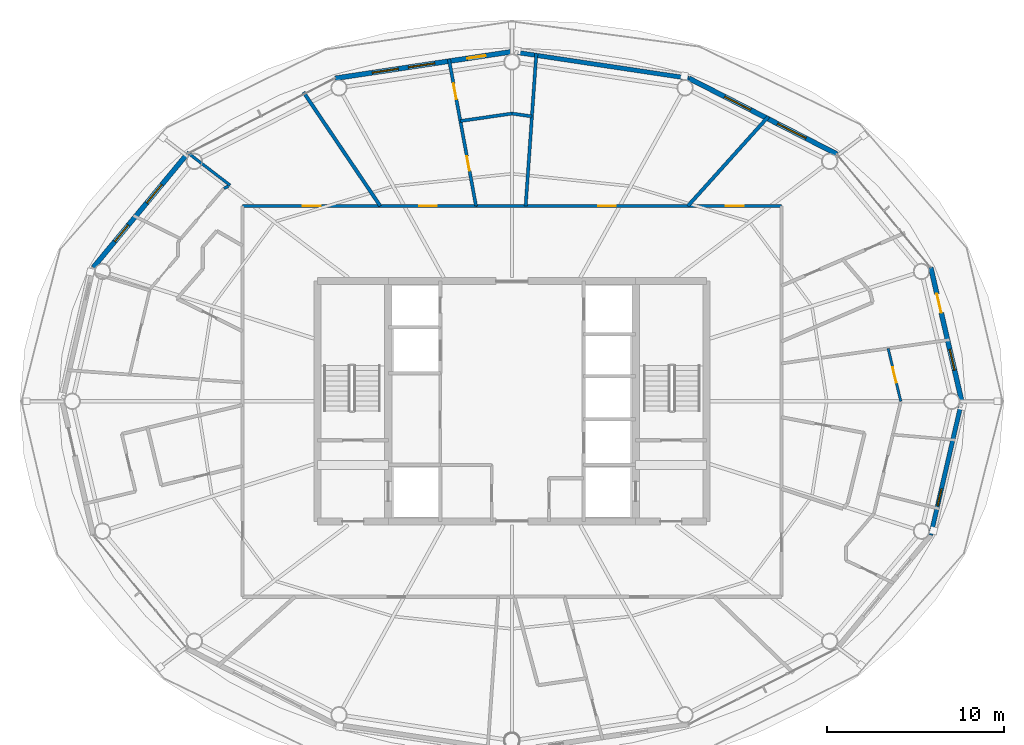
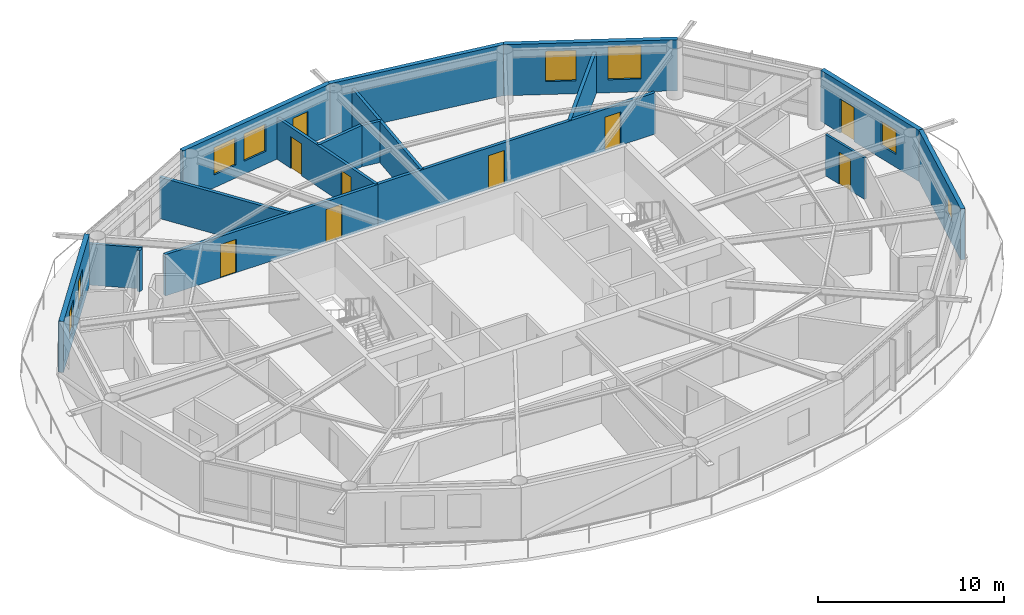
# One storey, part 18 of 22: 17 walls, 9 doors, 8 windows, 17 openings.
"""IFC4 building model written with IfcOpenShell, lengths in metres."""

import ifcopenshell
import ifcopenshell.guid

model = None  # the IFC model being written
_history = None  # IfcOwnerHistory: only IFC2X3 demands one
_inside = {}  # id of a spatial element -> (the spatial element, [elements in it])
_under = {}  # id of a project, library or spatial element -> (it, [spatial elements below it])
_declared = {}  # id of a project -> (the project, [libraries it declares])
_typed = {}  # id of a type object -> (the type object, [elements of that type])
_made_of = {}  # id of a material, layer set ... -> (it, [elements and type objects made of it])


def new_model(schema):
    """Start an empty IFC model of exactly this schema.

    Asked for "IFC4X3", IfcOpenShell would pick the latest addendum, in which some entities
    have other attributes; the version numbers below select the first issue.
    IFC2X3 requires an IfcOwnerHistory on every rooted entity: one is made here for all.
    """
    global model, _history
    if schema == "IFC4X3":
        model = ifcopenshell.file(schema_version=(4, 3, 0, 0))
    else:
        model = ifcopenshell.file(schema=schema)
    _inside.clear()
    _under.clear()
    _declared.clear()
    _typed.clear()
    _made_of.clear()
    _history = None
    if model.schema == "IFC2X3":
        org = make("IfcOrganization", Name="unknown")
        user = make(
            "IfcPersonAndOrganization",
            ThePerson=make("IfcPerson", FamilyName="unknown"),
            TheOrganization=org,
        )
        app = make(
            "IfcApplication",
            ApplicationDeveloper=org,
            Version="unknown",
            ApplicationFullName="unknown",
            ApplicationIdentifier="unknown",
        )
        _history = make(
            "IfcOwnerHistory",
            OwningUser=user,
            OwningApplication=app,
            ChangeAction="ADDED",
            CreationDate=0,
        )
    return model


def make(cls, **values):
    """One entity of the class cls with the attributes given. An attribute that is None is left unset."""
    return model.create_entity(
        cls, **{name: value for name, value in values.items() if value is not None}
    )


def rooted(cls, **values):
    """An entity with a GlobalId (a new one), such as an element, a storey or a relation."""
    return make(cls, GlobalId=ifcopenshell.guid.new(), OwnerHistory=_history, **values)


def si_unit(unit_type, name, prefix=None):
    """IfcSIUnit, for example si_unit("LENGTHUNIT", "METRE", prefix="MILLI")."""
    return make("IfcSIUnit", UnitType=unit_type, Prefix=prefix, Name=name)


def assignment(units):
    """IfcUnitAssignment: the units of a project."""
    return None if units is None else make("IfcUnitAssignment", Units=units)


def point(xyz):
    """IfcCartesianPoint."""
    return None if xyz is None else make("IfcCartesianPoint", Coordinates=xyz)


def direction(xyz):
    """IfcDirection."""
    return None if xyz is None else make("IfcDirection", DirectionRatios=xyz)


def frame(location, z_axis=None, x_axis=None):
    """IfcAxis2Placement3D, a coordinate frame: its origin and axes. An axis left out is left unset."""
    return make(
        "IfcAxis2Placement3D",
        Location=point(location),
        Axis=direction(z_axis),
        RefDirection=direction(x_axis),
    )


def frame_2d(location, x_axis=None):
    """IfcAxis2Placement2D, a coordinate frame in the plane: its origin and x axis."""
    return make(
        "IfcAxis2Placement2D", Location=point(location), RefDirection=direction(x_axis)
    )


def origin():
    """The frame at (0, 0, 0) with its axes left unset."""
    return frame((0.0, 0.0, 0.0))


def place(relative_to, where):
    """IfcLocalPlacement: puts the frame where relative to a parent placement (None: the world)."""
    return make(
        "IfcLocalPlacement", PlacementRelTo=relative_to, RelativePlacement=where
    )


def context(
    kind, dimensions, precision=None, world=None, true_north=None, identifier=None
):
    """IfcGeometricRepresentationContext, for example the 3D "Model" context."""
    return make(
        "IfcGeometricRepresentationContext",
        ContextIdentifier=identifier,
        ContextType=kind,
        CoordinateSpaceDimension=dimensions,
        Precision=precision,
        WorldCoordinateSystem=world,
        TrueNorth=true_north,
    )


def subcontext(parent, identifier, kind, view, scale=None):
    """IfcGeometricRepresentationSubContext, for example "Body" below "Model"."""
    return make(
        "IfcGeometricRepresentationSubContext",
        ContextIdentifier=identifier,
        ContextType=kind,
        ParentContext=parent,
        TargetScale=scale,
        TargetView=view,
    )


def project(units=None, contexts=None):
    """IfcProject with its units and contexts."""
    return rooted(
        "IfcProject",
        Name="project",
        RepresentationContexts=contexts,
        UnitsInContext=assignment(units),
    )


def spatial(cls, under=None, at=None, **own):
    """A site, building, storey or space (cls), placed at a placement, below another one or the project."""
    s = rooted(cls, ObjectPlacement=at, **own)
    if under is not None:
        _under.setdefault(under.id(), (under, []))[1].append(s)
    return s


def profile(cls, at=None, kind="AREA", **sizes):
    """A parametric profile (cls). Its sizes go by their IFC names, for example OverallWidth=200.0."""
    return make(cls, ProfileType=kind, Position=at, **sizes)


def rectangle(**sizes):
    """IfcRectangleProfileDef."""
    return profile("IfcRectangleProfileDef", **sizes)


def extrude(swept, where, along, depth):
    """IfcExtrudedAreaSolid: the profile swept, set in the frame where, extruded along a direction by depth."""
    return make(
        "IfcExtrudedAreaSolid",
        SweptArea=swept,
        Position=where,
        ExtrudedDirection=direction(along),
        Depth=depth,
    )


def shape(context_of_items, identifier, shape_type, items):
    """IfcShapeRepresentation: the items that make up one representation, for example the "Body"."""
    return make(
        "IfcShapeRepresentation",
        ContextOfItems=context_of_items,
        RepresentationIdentifier=identifier,
        RepresentationType=shape_type,
        Items=items,
    )


def material(Name=None, Category=None):
    """IfcMaterial."""
    return make("IfcMaterial", Name=Name, Category=Category)


def layer(
    of_material, thickness, ventilated=None, Name=None, Category=None, Priority=None
):
    """IfcMaterialLayer: one layer of a wall or slab, of a material (None: an air gap)."""
    return make(
        "IfcMaterialLayer",
        Material=of_material,
        LayerThickness=thickness,
        IsVentilated=ventilated,
        Name=Name,
        Category=Category,
        Priority=Priority,
    )


def layer_set(layers, Name=None):
    """IfcMaterialLayerSet."""
    return make("IfcMaterialLayerSet", MaterialLayers=layers, LayerSetName=Name)


def made_of(thing, what):
    """Note that an element or type object is made of a material, layer set ...; save() writes the relation."""
    if what is not None:
        _made_of.setdefault(what.id(), (what, []))[1].append(thing)
    return thing


def type_object(cls, material=None, **own):
    """A type object (cls), such as IfcWallType, which elements share."""
    return made_of(rooted(cls, **own), material)


def element(
    cls,
    number,
    at=None,
    inside=None,
    cuts=None,
    type_object=None,
    material=None,
    context=None,
    identifier="Body",
    shape_type=None,
    held_by="IfcProductDefinitionShape",
    body=None,
    shapes=None,
    **own,
):
    """One element of the class cls, such as IfcWall. Its Tag is "e" and its number.

    at: its placement. inside: the storey or other place that contains it. cuts: it is an
    opening in that element (IfcRelVoidsElement). A single representation is given by context,
    identifier, shape_type and body (its items); several are given by shapes. held_by: the class
    of the entity that holds the representations. save() writes the other relations.
    """
    e = rooted(cls, Tag="e%d" % number, ObjectPlacement=at, **own)
    if body is not None:
        shapes = [shape(context, identifier, shape_type, body)]
    if shapes is not None:
        e.Representation = make(held_by, Representations=shapes)
    if inside is not None:
        _inside.setdefault(inside.id(), (inside, []))[1].append(e)
    if cuts is not None:
        rooted(
            "IfcRelVoidsElement", RelatingBuildingElement=cuts, RelatedOpeningElement=e
        )
    if type_object is not None:
        _typed.setdefault(type_object.id(), (type_object, []))[1].append(e)
    return made_of(e, material)


def fill(opening, filler):
    """IfcRelFillsElement: the door or window that sits in an opening."""
    return rooted(
        "IfcRelFillsElement",
        RelatingOpeningElement=opening,
        RelatedBuildingElement=filler,
    )


def aggregate(whole, parts):
    """IfcRelAggregates: a whole, such as a stair, and the parts it consists of."""
    return rooted("IfcRelAggregates", RelatingObject=whole, RelatedObjects=parts)


def save(model, path):
    """Write the relations noted so far, then the file.

    IfcRelAggregates (storeys below a building ...), IfcRelContainedInSpatialStructure (elements
    in a storey), IfcRelDefinesByType, IfcRelAssociatesMaterial and IfcRelDeclares: one each for
    every whole, place, type object, material and project.
    """
    for whole, parts in _under.values():
        aggregate(whole, parts)
    for where, things in _inside.values():
        rooted(
            "IfcRelContainedInSpatialStructure",
            RelatedElements=things,
            RelatingStructure=where,
        )
    for kind, things in _typed.values():
        rooted("IfcRelDefinesByType", RelatedObjects=things, RelatingType=kind)
    for what, things in _made_of.values():
        rooted("IfcRelAssociatesMaterial", RelatedObjects=things, RelatingMaterial=what)
    for by, libraries in _declared.values():
        rooted("IfcRelDeclares", RelatingContext=by, RelatedDefinitions=libraries)
    model.write(path)


model = new_model("IFC4")

# Units and contexts
model_context = context("Model", 3, precision=1e-05, world=origin(), true_north=direction((0.0, 1.0)))
body_context = subcontext(model_context, "Body", "Model", "MODEL_VIEW")
ifc_project = project(units=[si_unit("LENGTHUNIT", "METRE"), si_unit("AREAUNIT", "SQUARE_METRE"), si_unit("VOLUMEUNIT", "CUBIC_METRE"), si_unit("PLANEANGLEUNIT", "RADIAN"), si_unit("MASSUNIT", "GRAM", prefix="KILO")], contexts=[model_context])

# Site, building, storey
site_placement = place(None, origin())
site = spatial("IfcSite", under=ifc_project, at=site_placement, CompositionType="ELEMENT")
building_placement = place(site_placement, origin())
building = spatial("IfcBuilding", under=site, at=building_placement, Name="Sarneth Arch Tower", CompositionType="ELEMENT")
storey_placement = place(building_placement, frame((0.0, 0.0, 213.60009765625)))
storey = spatial("IfcBuildingStorey", under=building, at=storey_placement, Name="L54", CompositionType="ELEMENT", Elevation=213.60009765625)

# Wall, openings, doors
ifc_material_1 = material(Name="Double steel-stud corridor fire wall", Category="steel")
ifc_layer_1 = layer(ifc_material_1, 0.18994140625)
ifc_layer_set_1 = layer_set([ifc_layer_1], Name="Double steel-stud corridor fire wall")
wall_type_1 = type_object("IfcWallType", Name="WALL-CORR-190", PredefinedType="PARTITIONING", material=ifc_layer_set_1)
wall_1_placement = place(storey_placement, frame((45.931396484375, 53.050048828125, 0.0), z_axis=(0.0, 0.0, 1.0), x_axis=(1.0, 0.0, 0.0)))
wall_1 = element("IfcWall", 1, at=wall_1_placement, inside=storey, type_object=wall_type_1, Name="L54 Interior partition W-L54-TP-005", PredefinedType="PARTITIONING", context=body_context, shape_type="SweptSolid", body=[
    extrude(rectangle(XDim=17.318603515625, YDim=0.18994140625, at=frame_2d((8.6591796875, 0.0))), origin(), (0.0, 0.0, 1.0), 2.719970703125),
])
opening_1_placement = place(wall_1_placement, frame((6.93505859375, 0.0, 0.0)))
opening_1 = element("IfcOpeningElement", 2, at=opening_1_placement, cuts=wall_1, Name="Opening FD-08", PredefinedType="OPENING", context=body_context, shape_type="SweptSolid", body=[
    extrude(rectangle(XDim=1.0, YDim=2.199951171875, at=frame_2d((0.5, 1.10009765625))), frame((0.0, 0.10498046875, 0.0), z_axis=(0.0, -1.0, 0.0), x_axis=(1.0, 0.0, 0.0)), (0.0, 0.0, 1.0), 0.2099609375),
])
opening_2_placement = place(wall_1_placement, frame((14.168212890625, 0.0, 0.0)))
opening_2 = element("IfcOpeningElement", 3, at=opening_2_placement, cuts=wall_1, Name="Opening FD-08", PredefinedType="OPENING", context=body_context, shape_type="SweptSolid", body=[
    extrude(rectangle(XDim=1.0, YDim=2.199951171875, at=frame_2d((0.5, 1.10009765625))), frame((0.0, 0.10498046875, 0.0), z_axis=(0.0, -1.0, 0.0), x_axis=(1.0, 0.0, 0.0)), (0.0, 0.0, 1.0), 0.2099609375),
])
ifc_material_2 = material(Name="Hardwood timber acoustic fire door", Category="wood")
door_type_1 = type_object("IfcDoorType", Name="DR-FD60-1000", OperationType="SINGLE_SWING_LEFT", PredefinedType="DOOR", material=ifc_material_2)
door_1_placement = place(opening_1_placement, origin())
door_1 = element("IfcDoor", 4, at=door_1_placement, inside=storey, type_object=door_type_1, Name="L54 Interior door DR-L54-RAMN-02", OperationType="SINGLE_SWING_LEFT", OverallHeight=2.199951171875, OverallWidth=1.0, PredefinedType="DOOR", context=body_context, shape_type="SweptSolid", body=[
    extrude(rectangle(XDim=1.0, YDim=2.199951171875, at=frame_2d((0.5, 1.10009765625))), frame((0.0, 0.02490234375, 0.0), z_axis=(0.0, -1.0, 0.0), x_axis=(1.0, 0.0, 0.0)), (0.0, 0.0, 1.0), 0.050048828125),
])
fill(opening_1, door_1)
door_2_placement = place(opening_2_placement, origin())
door_2 = element("IfcDoor", 5, at=door_2_placement, inside=storey, type_object=door_type_1, Name="L54 Interior door DR-L54-U1-ENT", OperationType="SINGLE_SWING_LEFT", OverallHeight=2.199951171875, OverallWidth=1.0, PredefinedType="DOOR", context=body_context, shape_type="SweptSolid", body=[
    extrude(rectangle(XDim=1.0, YDim=2.199951171875, at=frame_2d((0.5, 1.10009765625))), frame((0.0, 0.02490234375, 0.0), z_axis=(0.0, -1.0, 0.0), x_axis=(1.0, 0.0, 0.0)), (0.0, 0.0, 1.0), 0.050048828125),
])
fill(opening_2, door_2)

wall_2_placement = place(storey_placement, frame((32.75, 53.050048828125, 0.0), z_axis=(0.0, 0.0, 1.0), x_axis=(1.0, 0.0, 0.0)))
wall_2 = element("IfcWall", 6, at=wall_2_placement, inside=storey, type_object=wall_type_1, Name="L54 Interior partition W-L54-TP-010", PredefinedType="PARTITIONING", context=body_context, shape_type="SweptSolid", body=[
    extrude(rectangle(XDim=13.24658203125, YDim=0.18994140625, at=frame_2d((6.623291015625, 0.0))), origin(), (0.0, 0.0, 1.0), 2.719970703125),
])
opening_3_placement = place(wall_2_placement, frame((3.41748046875, 0.0, 0.0)))
opening_3 = element("IfcOpeningElement", 7, at=opening_3_placement, cuts=wall_2, Name="Opening FD-08", PredefinedType="OPENING", context=body_context, shape_type="SweptSolid", body=[
    extrude(rectangle(XDim=1.0, YDim=2.199951171875, at=frame_2d((0.5, 1.10009765625))), frame((0.0, 0.10498046875, 0.0), z_axis=(0.0, -1.0, 0.0), x_axis=(1.0, 0.0, 0.0)), (0.0, 0.0, 1.0), 0.2099609375),
])
opening_4_placement = place(wall_2_placement, frame((10.002197265625, 0.0, 0.0)))
opening_4 = element("IfcOpeningElement", 8, at=opening_4_placement, cuts=wall_2, Name="Opening FD-08", PredefinedType="OPENING", context=body_context, shape_type="SweptSolid", body=[
    extrude(rectangle(XDim=1.0, YDim=2.199951171875, at=frame_2d((0.5, 1.10009765625))), frame((0.0, 0.10498046875, 0.0), z_axis=(0.0, -1.0, 0.0), x_axis=(1.0, 0.0, 0.0)), (0.0, 0.0, 1.0), 0.2099609375),
])
door_3_placement = place(opening_3_placement, origin())
door_3 = element("IfcDoor", 9, at=door_3_placement, inside=storey, type_object=door_type_1, Name="L54 Interior door DR-L54-U4-ENT", OperationType="SINGLE_SWING_RIGHT", OverallHeight=2.199951171875, OverallWidth=1.0, PredefinedType="DOOR", context=body_context, shape_type="SweptSolid", body=[
    extrude(rectangle(XDim=1.0, YDim=2.199951171875, at=frame_2d((0.5, 1.10009765625))), frame((0.0, 0.02490234375, 0.0), z_axis=(0.0, -1.0, 0.0), x_axis=(1.0, 0.0, 0.0)), (0.0, 0.0, 1.0), 0.050048828125),
])
fill(opening_3, door_3)
door_4_placement = place(opening_4_placement, origin())
door_4 = element("IfcDoor", 10, at=door_4_placement, inside=storey, type_object=door_type_1, Name="L54 Interior door DR-L54-U3-ENT", OperationType="SINGLE_SWING_RIGHT", OverallHeight=2.199951171875, OverallWidth=1.0, PredefinedType="DOOR", context=body_context, shape_type="SweptSolid", body=[
    extrude(rectangle(XDim=1.0, YDim=2.199951171875, at=frame_2d((0.5, 1.10009765625))), frame((0.0, 0.02490234375, 0.0), z_axis=(0.0, -1.0, 0.0), x_axis=(1.0, 0.0, 0.0)), (0.0, 0.0, 1.0), 0.050048828125),
])
fill(opening_4, door_4)

# Wall
ifc_material_3 = material(Name="Extruded terracotta rainscreen on Concrete C40/50 backing", Category="masonry")
ifc_layer_2 = layer(ifc_material_3, 0.25)
ifc_layer_set_2 = layer_set([ifc_layer_2], Name="Extruded terracotta rainscreen on Concrete C40/50 backing")
wall_type_2 = type_object("IfcWallType", Name="WALL-EXT-SPAND-250", PredefinedType="SOLIDWALL", material=ifc_layer_set_2)
wall_3_placement = place(storey_placement, frame((58.0126953125, 60.2744140625, 0.0), z_axis=(0.0, 0.0, 1.0), x_axis=(-0.988882522213, 0.148698881169, 0.0)))
element("IfcWall", 11, at=wall_3_placement, inside=storey, type_object=wall_type_2, Name="L54 Terracotta perimeter wall 04", PredefinedType="SOLIDWALL", context=body_context, shape_type="SweptSolid", body=[
    extrude(rectangle(XDim=10.125244140625, YDim=0.25, at=frame_2d((5.0625, 0.0))), origin(), (0.0, 0.0, 1.0), 3.35986328125),
])

# Wall, opening, window
wall_4_placement = place(storey_placement, frame((71.69384765625, 34.430419921875, 0.0), z_axis=(0.0, 0.0, 1.0), x_axis=(0.225635078214, 0.974211892495, 0.0)))
wall_4 = element("IfcWall", 12, at=wall_4_placement, inside=storey, type_object=wall_type_2, Name="L54 Terracotta perimeter wall 16", PredefinedType="SOLIDWALL", context=body_context, shape_type="SweptSolid", body=[
    extrude(rectangle(XDim=7.77001953125, YDim=0.25, at=frame_2d((3.885009765625, 0.0))), origin(), (0.0, 0.0, 1.0), 3.35986328125),
])
opening_5_placement = place(wall_4_placement, frame((1.6953125, 0.0, 1.419921875)))
opening_5 = element("IfcOpeningElement", 13, at=opening_5_placement, cuts=wall_4, Name="Opening W-14", PredefinedType="OPENING", context=body_context, shape_type="SweptSolid", body=[
    extrude(rectangle(XDim=1.0, YDim=1.050048828125, at=frame_2d((0.5, 0.52490234375))), frame((0.0, 0.135009765625, 0.0), z_axis=(0.0, -1.0, 0.0), x_axis=(1.0, 0.0, 0.0)), (0.0, 0.0, 1.0), 0.27001953125),
])
ifc_material_4 = material(Name="Thermally broken Aluminium 6063-T6 and low-e laminated IGU", Category="aluminium")
window_type_1 = type_object("IfcWindowType", Name="WIN-TWR-1000x1050", PartitioningType="SINGLE_PANEL", PredefinedType="WINDOW", material=ifc_material_4)
window_1_placement = place(opening_5_placement, origin())
window_1 = element("IfcWindow", 14, at=window_1_placement, inside=storey, type_object=window_type_1, Name="L54 Dwelling bedroom window 02", OverallHeight=1.050048828125, OverallWidth=1.0, PartitioningType="SINGLE_PANEL", PredefinedType="WINDOW", context=body_context, shape_type="SweptSolid", body=[
    extrude(rectangle(XDim=1.0, YDim=1.050048828125, at=frame_2d((0.5, 0.52490234375))), frame((0.0, 0.030029296875, 0.0), z_axis=(0.0, -1.0, 0.0), x_axis=(1.0, 0.0, 0.0)), (0.0, 0.0, 1.0), 0.06005859375),
])
fill(opening_5, window_1)

# Wall, openings, door, window
ifc_material_5 = material(Name="Extruded terracotta rainscreen on Concrete C40/50 backing", Category="masonry")
ifc_layer_3 = layer(ifc_material_5, 0.280029296875)
ifc_layer_set_3 = layer_set([ifc_layer_3], Name="Extruded terracotta rainscreen on Concrete C40/50 backing")
wall_type_3 = type_object("IfcWallType", Name="WALL-EXT-TERRA-280", PredefinedType="SOLIDWALL", material=ifc_layer_set_3)
wall_5_placement = place(storey_placement, frame((73.447021484375, 42.0, 0.0), z_axis=(0.0, 0.0, 1.0), x_axis=(-0.225635078214, 0.974211892495, 0.0)))
wall_5 = element("IfcWall", 15, at=wall_5_placement, inside=storey, type_object=wall_type_3, Name="L54 Terracotta perimeter wall 01", PredefinedType="SOLIDWALL", context=body_context, shape_type="SweptSolid", body=[
    extrude(rectangle(XDim=7.77001953125, YDim=0.280029296875, at=frame_2d((3.885009765625, 0.0))), origin(), (0.0, 0.0, 1.0), 3.35986328125),
])
opening_6_placement = place(wall_5_placement, frame((1.81103515625, 0.0, 0.85009765625)))
opening_6 = element("IfcOpeningElement", 16, at=opening_6_placement, cuts=wall_5, Name="Opening W-10", PredefinedType="OPENING", context=body_context, shape_type="SweptSolid", body=[
    extrude(rectangle(XDim=1.199951171875, YDim=1.60009765625, at=frame_2d((0.60009765625, 0.800048828125))), frame((0.0, 0.14990234375, 0.0), z_axis=(0.0, -1.0, 0.0), x_axis=(1.0, 0.0, 0.0)), (0.0, 0.0, 1.0), 0.300048828125),
])
opening_7_placement = place(wall_5_placement, frame((5.14208984375, 0.0, 0.0)))
opening_7 = element("IfcOpeningElement", 17, at=opening_7_placement, cuts=wall_5, Name="Opening BD-3", PredefinedType="OPENING", context=body_context, shape_type="SweptSolid", body=[
    extrude(rectangle(XDim=1.10009765625, YDim=2.25, at=frame_2d((0.550048828125, 1.125))), frame((0.0, 0.14990234375, 0.0), z_axis=(0.0, -1.0, 0.0), x_axis=(1.0, 0.0, 0.0)), (0.0, 0.0, 1.0), 0.300048828125),
])
ifc_material_6 = material(Name="Thermally broken Aluminium 6063-T6 and laminated safety glass", Category="aluminium")
door_type_2 = type_object("IfcDoorType", Name="DR-BALC-GLZ-1100", OperationType="SINGLE_SWING_LEFT", PredefinedType="DOOR", material=ifc_material_6)
door_5_placement = place(opening_7_placement, origin())
door_5 = element("IfcDoor", 18, at=door_5_placement, inside=storey, type_object=door_type_2, Name="L54 Balcony glazed door 01", OperationType="SINGLE_SWING_LEFT", OverallHeight=2.25, OverallWidth=1.10009765625, PredefinedType="DOOR", context=body_context, shape_type="SweptSolid", body=[
    extrude(rectangle(XDim=1.10009765625, YDim=2.25, at=frame_2d((0.550048828125, 1.125))), frame((0.0, 0.02490234375, 0.0), z_axis=(0.0, -1.0, 0.0), x_axis=(1.0, 0.0, 0.0)), (0.0, 0.0, 1.0), 0.050048828125),
])
fill(opening_7, door_5)
ifc_material_7 = material(Name="Thermally broken Aluminium 6063-T6 and low-e laminated IGU", Category="aluminium")
window_type_2 = type_object("IfcWindowType", Name="WIN-TWR-1200x1600", PartitioningType="SINGLE_PANEL", PredefinedType="WINDOW", material=ifc_material_7)
window_2_placement = place(opening_6_placement, origin())
window_2 = element("IfcWindow", 19, at=window_2_placement, inside=storey, type_object=window_type_2, Name="L54 Exterior window 01A", OverallHeight=1.60009765625, OverallWidth=1.199951171875, PartitioningType="SINGLE_PANEL", PredefinedType="WINDOW", context=body_context, shape_type="SweptSolid", body=[
    extrude(rectangle(XDim=1.199951171875, YDim=1.60009765625, at=frame_2d((0.60009765625, 0.800048828125))), frame((0.0, 0.030029296875, 0.0), z_axis=(0.0, -1.0, 0.0), x_axis=(1.0, 0.0, 0.0)), (0.0, 0.0, 1.0), 0.06005859375),
])
fill(opening_6, window_2)

# Wall, openings, windows
wall_6_placement = place(storey_placement, frame((66.382568359375, 55.986572265625, 0.0), z_axis=(0.0, 0.0, 1.0), x_axis=(-0.890007394051, 0.455946091699, 0.0)))
wall_6 = element("IfcWall", 20, at=wall_6_placement, inside=storey, type_object=wall_type_3, Name="L54 Terracotta perimeter wall 03", PredefinedType="SOLIDWALL", context=body_context, shape_type="SweptSolid", body=[
    extrude(rectangle(XDim=9.404296875, YDim=0.280029296875, at=frame_2d((4.7021484375, 0.0))), origin(), (0.0, 0.0, 1.0), 3.35986328125),
])
opening_8_placement = place(wall_6_placement, frame((1.972900390625, 0.0, 0.85009765625)))
opening_8 = element("IfcOpeningElement", 21, at=opening_8_placement, cuts=wall_6, Name="Opening W-04", PredefinedType="OPENING", context=body_context, shape_type="SweptSolid", body=[
    extrude(rectangle(XDim=1.800048828125, YDim=2.199951171875, at=frame_2d((0.89990234375, 1.10009765625))), frame((0.0, 0.14990234375, 0.0), z_axis=(0.0, -1.0, 0.0), x_axis=(1.0, 0.0, 0.0)), (0.0, 0.0, 1.0), 0.300048828125),
])
opening_9_placement = place(wall_6_placement, frame((5.48876953125, 0.0, 0.85009765625)))
opening_9 = element("IfcOpeningElement", 22, at=opening_9_placement, cuts=wall_6, Name="Opening W-05", PredefinedType="OPENING", context=body_context, shape_type="SweptSolid", body=[
    extrude(rectangle(XDim=1.64990234375, YDim=2.0, at=frame_2d((0.824951171875, 1.0))), frame((0.0, 0.14990234375, 0.0), z_axis=(0.0, -1.0, 0.0), x_axis=(1.0, 0.0, 0.0)), (0.0, 0.0, 1.0), 0.300048828125),
])
ifc_material_8 = material(Name="Thermally broken Aluminium 6063-T6 and low-e laminated IGU", Category="aluminium")
window_type_3 = type_object("IfcWindowType", Name="WIN-TWR-1650x2000", PartitioningType="DOUBLE_PANEL_VERTICAL", PredefinedType="WINDOW", material=ifc_material_8)
window_3_placement = place(opening_9_placement, origin())
window_3 = element("IfcWindow", 23, at=window_3_placement, inside=storey, type_object=window_type_3, Name="L54 Exterior window 03B", OverallHeight=2.0, OverallWidth=1.64990234375, PartitioningType="SINGLE_PANEL", PredefinedType="WINDOW", context=body_context, shape_type="SweptSolid", body=[
    extrude(rectangle(XDim=1.64990234375, YDim=2.0, at=frame_2d((0.824951171875, 1.0))), frame((0.0, 0.030029296875, 0.0), z_axis=(0.0, -1.0, 0.0), x_axis=(1.0, 0.0, 0.0)), (0.0, 0.0, 1.0), 0.06005859375),
])
fill(opening_9, window_3)
ifc_material_9 = material(Name="Thermally broken Aluminium 6063-T6 and low-e laminated IGU", Category="aluminium")
window_type_4 = type_object("IfcWindowType", Name="WIN-TWR-1800x2200", PartitioningType="DOUBLE_PANEL_VERTICAL", PredefinedType="WINDOW", material=ifc_material_9)
window_4_placement = place(opening_8_placement, origin())
window_4 = element("IfcWindow", 24, at=window_4_placement, inside=storey, type_object=window_type_4, Name="L54 Exterior window 03A", OverallHeight=2.199951171875, OverallWidth=1.800048828125, PartitioningType="SINGLE_PANEL", PredefinedType="WINDOW", context=body_context, shape_type="SweptSolid", body=[
    extrude(rectangle(XDim=1.800048828125, YDim=2.199951171875, at=frame_2d((0.89990234375, 1.10009765625))), frame((0.0, 0.030029296875, 0.0), z_axis=(0.0, -1.0, 0.0), x_axis=(1.0, 0.0, 0.0)), (0.0, 0.0, 1.0), 0.06005859375),
])
fill(opening_8, window_4)

# Wall, openings, door, windows
wall_7_placement = place(storey_placement, frame((48.0, 61.780029296875, 0.0), z_axis=(0.0, 0.0, 1.0), x_axis=(-0.988882522213, -0.148698881169, 0.0)))
wall_7 = element("IfcWall", 25, at=wall_7_placement, inside=storey, type_object=wall_type_3, Name="L54 Terracotta perimeter wall 05", PredefinedType="SOLIDWALL", context=body_context, shape_type="SweptSolid", body=[
    extrude(rectangle(XDim=10.125244140625, YDim=0.280029296875, at=frame_2d((5.0625, 0.0))), origin(), (0.0, 0.0, 1.0), 3.35986328125),
])
opening_10_placement = place(wall_7_placement, frame((1.51611328125, 0.0, 0.0)))
opening_10 = element("IfcOpeningElement", 26, at=opening_10_placement, cuts=wall_7, Name="Opening BD-4", PredefinedType="OPENING", context=body_context, shape_type="SweptSolid", body=[
    extrude(rectangle(XDim=1.050048828125, YDim=2.199951171875, at=frame_2d((0.52490234375, 1.10009765625))), frame((0.0, 0.14990234375, 0.0), z_axis=(0.0, -1.0, 0.0), x_axis=(1.0, 0.0, 0.0)), (0.0, 0.0, 1.0), 0.300048828125),
])
opening_11_placement = place(wall_7_placement, frame((4.422119140625, 0.0, 0.85009765625)))
opening_11 = element("IfcOpeningElement", 27, at=opening_11_placement, cuts=wall_7, Name="Opening W-07", PredefinedType="OPENING", context=body_context, shape_type="SweptSolid", body=[
    extrude(rectangle(XDim=1.5, YDim=1.800048828125, at=frame_2d((0.75, 0.89990234375))), frame((0.0, 0.14990234375, 0.0), z_axis=(0.0, -1.0, 0.0), x_axis=(1.0, 0.0, 0.0)), (0.0, 0.0, 1.0), 0.300048828125),
])
opening_12_placement = place(wall_7_placement, frame((6.50390625, 0.0, 0.85009765625)))
opening_12 = element("IfcOpeningElement", 28, at=opening_12_placement, cuts=wall_7, Name="Opening W-07", PredefinedType="OPENING", context=body_context, shape_type="SweptSolid", body=[
    extrude(rectangle(XDim=1.5, YDim=1.800048828125, at=frame_2d((0.75, 0.89990234375))), frame((0.0, 0.14990234375, 0.0), z_axis=(0.0, -1.0, 0.0), x_axis=(1.0, 0.0, 0.0)), (0.0, 0.0, 1.0), 0.300048828125),
])
ifc_material_10 = material(Name="Thermally broken Aluminium 6063-T6 and laminated safety glass", Category="aluminium")
door_type_3 = type_object("IfcDoorType", Name="DR-BALC-GLZ-1050", OperationType="SINGLE_SWING_RIGHT", PredefinedType="DOOR", material=ifc_material_10)
door_6_placement = place(opening_10_placement, origin())
door_6 = element("IfcDoor", 29, at=door_6_placement, inside=storey, type_object=door_type_3, Name="L54 Balcony glazed door 05", OperationType="SINGLE_SWING_RIGHT", OverallHeight=2.199951171875, OverallWidth=1.050048828125, PredefinedType="DOOR", context=body_context, shape_type="SweptSolid", body=[
    extrude(rectangle(XDim=1.050048828125, YDim=2.199951171875, at=frame_2d((0.52490234375, 1.10009765625))), frame((0.0, 0.02490234375, 0.0), z_axis=(0.0, -1.0, 0.0), x_axis=(1.0, 0.0, 0.0)), (0.0, 0.0, 1.0), 0.050048828125),
])
fill(opening_10, door_6)
ifc_material_11 = material(Name="Thermally broken Aluminium 6063-T6 and low-e laminated IGU", Category="aluminium")
window_type_5 = type_object("IfcWindowType", Name="WIN-TWR-1500x1800", PartitioningType="SINGLE_PANEL", PredefinedType="WINDOW", material=ifc_material_11)
window_5_placement = place(opening_11_placement, origin())
window_5 = element("IfcWindow", 30, at=window_5_placement, inside=storey, type_object=window_type_5, Name="L54 Exterior window 05A", OverallHeight=1.800048828125, OverallWidth=1.5, PartitioningType="SINGLE_PANEL", PredefinedType="WINDOW", context=body_context, shape_type="SweptSolid", body=[
    extrude(rectangle(XDim=1.5, YDim=1.800048828125, at=frame_2d((0.75, 0.89990234375))), frame((0.0, 0.030029296875, 0.0), z_axis=(0.0, -1.0, 0.0), x_axis=(1.0, 0.0, 0.0)), (0.0, 0.0, 1.0), 0.06005859375),
])
fill(opening_11, window_5)
window_6_placement = place(opening_12_placement, origin())
window_6 = element("IfcWindow", 31, at=window_6_placement, inside=storey, type_object=window_type_5, Name="L54 Exterior window 05B", OverallHeight=1.800048828125, OverallWidth=1.5, PartitioningType="SINGLE_PANEL", PredefinedType="WINDOW", context=body_context, shape_type="SweptSolid", body=[
    extrude(rectangle(XDim=1.5, YDim=1.800048828125, at=frame_2d((0.75, 0.89990234375))), frame((0.0, 0.030029296875, 0.0), z_axis=(0.0, -1.0, 0.0), x_axis=(1.0, 0.0, 0.0)), (0.0, 0.0, 1.0), 0.06005859375),
])
fill(opening_12, window_6)

# Wall, openings, windows
wall_8_placement = place(storey_placement, frame((29.617431640625, 55.986572265625, 0.0), z_axis=(0.0, 0.0, 1.0), x_axis=(-0.63761509934, -0.770355103243, 0.0)))
wall_8 = element("IfcWall", 32, at=wall_8_placement, inside=storey, type_object=wall_type_3, Name="L54 Terracotta perimeter wall 07", PredefinedType="SOLIDWALL", context=body_context, shape_type="SweptSolid", body=[
    extrude(rectangle(XDim=8.329833984375, YDim=0.280029296875, at=frame_2d((4.1650390625, 0.0))), origin(), (0.0, 0.0, 1.0), 3.35986328125),
])
opening_13_placement = place(wall_8_placement, frame((2.236572265625, 0.0, 0.85009765625)))
opening_13 = element("IfcOpeningElement", 33, at=opening_13_placement, cuts=wall_8, Name="Opening W-08", PredefinedType="OPENING", context=body_context, shape_type="SweptSolid", body=[
    extrude(rectangle(XDim=1.35009765625, YDim=1.800048828125, at=frame_2d((0.675048828125, 0.89990234375))), frame((0.0, 0.14990234375, 0.0), z_axis=(0.0, -1.0, 0.0), x_axis=(1.0, 0.0, 0.0)), (0.0, 0.0, 1.0), 0.300048828125),
])
opening_14_placement = place(wall_8_placement, frame((5.216552734375, 0.0, 0.85009765625)))
opening_14 = element("IfcOpeningElement", 34, at=opening_14_placement, cuts=wall_8, Name="Opening W-09", PredefinedType="OPENING", context=body_context, shape_type="SweptSolid", body=[
    extrude(rectangle(XDim=1.199951171875, YDim=1.800048828125, at=frame_2d((0.60009765625, 0.89990234375))), frame((0.0, 0.14990234375, 0.0), z_axis=(0.0, -1.0, 0.0), x_axis=(1.0, 0.0, 0.0)), (0.0, 0.0, 1.0), 0.300048828125),
])
ifc_material_12 = material(Name="Thermally broken Aluminium 6063-T6 and low-e laminated IGU", Category="aluminium")
window_type_6 = type_object("IfcWindowType", Name="WIN-TWR-1200x1800", PartitioningType="SINGLE_PANEL", PredefinedType="WINDOW", material=ifc_material_12)
window_7_placement = place(opening_14_placement, origin())
window_7 = element("IfcWindow", 35, at=window_7_placement, inside=storey, type_object=window_type_6, Name="L54 Exterior window 07B", OverallHeight=1.800048828125, OverallWidth=1.199951171875, PartitioningType="SINGLE_PANEL", PredefinedType="WINDOW", context=body_context, shape_type="SweptSolid", body=[
    extrude(rectangle(XDim=1.199951171875, YDim=1.800048828125, at=frame_2d((0.60009765625, 0.89990234375))), frame((0.0, 0.030029296875, 0.0), z_axis=(0.0, -1.0, 0.0), x_axis=(1.0, 0.0, 0.0)), (0.0, 0.0, 1.0), 0.06005859375),
])
fill(opening_14, window_7)
ifc_material_13 = material(Name="Thermally broken Aluminium 6063-T6 and low-e laminated IGU", Category="aluminium")
window_type_7 = type_object("IfcWindowType", Name="WIN-TWR-1350x1800", PartitioningType="SINGLE_PANEL", PredefinedType="WINDOW", material=ifc_material_13)
window_8_placement = place(opening_13_placement, origin())
window_8 = element("IfcWindow", 36, at=window_8_placement, inside=storey, type_object=window_type_7, Name="L54 Exterior window 07A", OverallHeight=1.800048828125, OverallWidth=1.35009765625, PartitioningType="SINGLE_PANEL", PredefinedType="WINDOW", context=body_context, shape_type="SweptSolid", body=[
    extrude(rectangle(XDim=1.35009765625, YDim=1.800048828125, at=frame_2d((0.675048828125, 0.89990234375))), frame((0.0, 0.030029296875, 0.0), z_axis=(0.0, -1.0, 0.0), x_axis=(1.0, 0.0, 0.0)), (0.0, 0.0, 1.0), 0.06005859375),
])
fill(opening_13, window_8)

# Wall, opening, door
ifc_material_14 = material(Name="Apartment internal stud partition", Category="gypsum")
ifc_layer_4 = layer(ifc_material_14, 0.139892578125)
ifc_layer_set_4 = layer_set([ifc_layer_4], Name="Apartment internal stud partition")
wall_type_4 = type_object("IfcWallType", Name="WALL-PART-140", PredefinedType="PARTITIONING", material=ifc_layer_set_4)
wall_9_placement = place(storey_placement, frame((69.996337890625, 42.0, 0.0), z_axis=(0.0, 0.0, 1.0), x_axis=(-0.23230382896, 0.972643270192, 0.0)))
wall_9 = element("IfcWall", 37, at=wall_9_placement, inside=storey, type_object=wall_type_4, Name="L54 Interior partition W-L54-TP-078", PredefinedType="PARTITIONING", context=body_context, shape_type="SweptSolid", body=[
    extrude(rectangle(XDim=3.0751953125, YDim=0.139892578125, at=frame_2d((1.53759765625, 0.0))), origin(), (0.0, 0.0, 1.0), 2.719970703125),
])
opening_15_placement = place(wall_9_placement, frame((1.087646484375, 0.0, 0.0)))
opening_15 = element("IfcOpeningElement", 38, at=opening_15_placement, cuts=wall_9, Name="Opening ID-01", PredefinedType="OPENING", context=body_context, shape_type="SweptSolid", body=[
    extrude(rectangle(XDim=0.89990234375, YDim=2.10009765625, at=frame_2d((0.449951171875, 1.050048828125))), frame((0.0, 0.079833984375, 0.0), z_axis=(0.0, -1.0, 0.0), x_axis=(1.0, 0.0, 0.0)), (0.0, 0.0, 1.0), 0.159912109375),
])
ifc_material_15 = material(Name="Engineered hardwood flush door", Category="wood")
door_type_4 = type_object("IfcDoorType", Name="DR-INT-900", OperationType="SINGLE_SWING_LEFT", PredefinedType="DOOR", material=ifc_material_15)
door_7_placement = place(opening_15_placement, origin())
door_7 = element("IfcDoor", 39, at=door_7_placement, inside=storey, type_object=door_type_4, Name="L54 Interior door DR-L54-U8-BED2", OperationType="SINGLE_SWING_LEFT", OverallHeight=2.10009765625, OverallWidth=0.89990234375, PredefinedType="DOOR", context=body_context, shape_type="SweptSolid", body=[
    extrude(rectangle(XDim=0.89990234375, YDim=2.10009765625, at=frame_2d((0.449951171875, 1.050048828125))), frame((0.0, 0.02490234375, 0.0), z_axis=(0.0, -1.0, 0.0), x_axis=(1.0, 0.0, 0.0)), (0.0, 0.0, 1.0), 0.050048828125),
])
fill(opening_15, door_7)

# Walls
ifc_material_16 = material(Name="Kitchen wet service chase wall", Category="gypsum")
ifc_layer_5 = layer(ifc_material_16, 0.159912109375)
ifc_layer_set_5 = layer_set([ifc_layer_5], Name="Kitchen wet service chase wall")
wall_type_5 = type_object("IfcWallType", Name="WALL-PLUMB-160", PredefinedType="PLUMBINGWALL", material=ifc_layer_set_5)
wall_10_placement = place(storey_placement, frame((29.6025390625, 56.1005859375, 0.0), z_axis=(0.0, 0.0, 1.0), x_axis=(0.793701828105, -0.608307001491, 0.0)))
element("IfcWall", 40, at=wall_10_placement, inside=storey, type_object=wall_type_5, Name="L54 Interior partition W-L54-TP-039", PredefinedType="PLUMBINGWALL", context=body_context, shape_type="SweptSolid", body=[
    extrude(rectangle(XDim=3.086669921875, YDim=0.159912109375, at=frame_2d((1.54345703125, 0.0))), origin(), (0.0, 0.0, 1.0), 2.719970703125),
])
wall_11_placement = place(storey_placement, frame((31.9521484375, 54.1728515625, 0.0), z_axis=(0.0, 0.0, 1.0), x_axis=(-0.895316278345, -0.445430984251, 0.0)))
element("IfcWall", 41, at=wall_11_placement, inside=storey, type_object=wall_type_5, Name="L54 Interior partition W-L54-TP-040", PredefinedType="PLUMBINGWALL", context=body_context, shape_type="SweptSolid", body=[
    extrude(rectangle(XDim=0.274169921875, YDim=0.159912109375, at=frame_2d((0.13720703125, 0.0))), origin(), (0.0, 0.0, 1.0), 2.719970703125),
])
ifc_material_17 = material(Name="Moisture-resistant plumbing chase wall", Category="gypsum")
ifc_layer_6 = layer(ifc_material_17, 0.179931640625)
ifc_layer_set_6 = layer_set([ifc_layer_6], Name="Moisture-resistant plumbing chase wall")
wall_type_6 = type_object("IfcWallType", Name="WALL-PLUMB-180", PredefinedType="PLUMBINGWALL", material=ifc_layer_set_6)
wall_12_placement = place(storey_placement, frame((48.772705078125, 53.050048828125, 0.0), z_axis=(0.0, 0.0, 1.0), x_axis=(0.069763237321, 0.997563577281, 0.0)))
element("IfcWall", 42, at=wall_12_placement, inside=storey, type_object=wall_type_6, Name="L54 Interior partition W-L54-TP-032", PredefinedType="PLUMBINGWALL", context=body_context, shape_type="SweptSolid", body=[
    extrude(rectangle(XDim=8.664794921875, YDim=0.179931640625, at=frame_2d((4.33251953125, 0.0))), origin(), (0.0, 0.0, 1.0), 2.719970703125),
])

# Wall, openings, doors
wall_13_placement = place(storey_placement, frame((45.964111328125, 53.050048828125, 0.0), z_axis=(0.0, 0.0, 1.0), x_axis=(-0.181227840828, 0.983441136881, 0.0)))
wall_13 = element("IfcWall", 43, at=wall_13_placement, inside=storey, type_object=wall_type_6, Name="L54 Interior partition W-L54-TP-034", PredefinedType="PLUMBINGWALL", context=body_context, shape_type="SweptSolid", body=[
    extrude(rectangle(XDim=8.45458984375, YDim=0.179931640625, at=frame_2d((4.227294921875, 0.0))), origin(), (0.0, 0.0, 1.0), 2.719970703125),
])
opening_16_placement = place(wall_13_placement, frame((2.01904296875, 0.0, 0.0)))
opening_16 = element("IfcOpeningElement", 44, at=opening_16_placement, cuts=wall_13, Name="Opening ID-02", PredefinedType="OPENING", context=body_context, shape_type="SweptSolid", body=[
    extrude(rectangle(XDim=0.85009765625, YDim=2.10009765625, at=frame_2d((0.425048828125, 1.050048828125))), frame((0.0, 0.099853515625, 0.0), z_axis=(0.0, -1.0, 0.0), x_axis=(1.0, 0.0, 0.0)), (0.0, 0.0, 1.0), 0.199951171875),
])
opening_17_placement = place(wall_13_placement, frame((6.145263671875, 0.0, 0.0)))
opening_17 = element("IfcOpeningElement", 45, at=opening_17_placement, cuts=wall_13, Name="Opening ID-01", PredefinedType="OPENING", context=body_context, shape_type="SweptSolid", body=[
    extrude(rectangle(XDim=0.89990234375, YDim=2.10009765625, at=frame_2d((0.449951171875, 1.050048828125))), frame((0.0, 0.099853515625, 0.0), z_axis=(0.0, -1.0, 0.0), x_axis=(1.0, 0.0, 0.0)), (0.0, 0.0, 1.0), 0.199951171875),
])
ifc_material_18 = material(Name="Moisture-resistant bathroom timber door", Category="wood")
door_type_5 = type_object("IfcDoorType", Name="DR-INT-850", OperationType="SINGLE_SWING_RIGHT", PredefinedType="DOOR", material=ifc_material_18)
door_8_placement = place(opening_16_placement, origin())
door_8 = element("IfcDoor", 46, at=door_8_placement, inside=storey, type_object=door_type_5, Name="L54 Interior door DR-L54-U3-BATH", OperationType="SINGLE_SWING_RIGHT", OverallHeight=2.10009765625, OverallWidth=0.85009765625, PredefinedType="DOOR", context=body_context, shape_type="SweptSolid", body=[
    extrude(rectangle(XDim=0.85009765625, YDim=2.10009765625, at=frame_2d((0.425048828125, 1.050048828125))), frame((0.0, 0.02490234375, 0.0), z_axis=(0.0, -1.0, 0.0), x_axis=(1.0, 0.0, 0.0)), (0.0, 0.0, 1.0), 0.050048828125),
])
fill(opening_16, door_8)
door_9_placement = place(opening_17_placement, origin())
door_9 = element("IfcDoor", 47, at=door_9_placement, inside=storey, type_object=door_type_4, Name="L54 Interior door DR-L54-U3-KIT", OperationType="SINGLE_SWING_LEFT", OverallHeight=2.10009765625, OverallWidth=0.89990234375, PredefinedType="DOOR", context=body_context, shape_type="SweptSolid", body=[
    extrude(rectangle(XDim=0.89990234375, YDim=2.10009765625, at=frame_2d((0.449951171875, 1.050048828125))), frame((0.0, 0.02490234375, 0.0), z_axis=(0.0, -1.0, 0.0), x_axis=(1.0, 0.0, 0.0)), (0.0, 0.0, 1.0), 0.050048828125),
])
fill(opening_17, door_9)

# Walls
wall_14_placement = place(storey_placement, frame((45.078125, 57.85693359375, 0.0), z_axis=(0.0, 0.0, 1.0), x_axis=(0.989678113628, 0.143308169361, 0.0)))
element("IfcWall", 48, at=wall_14_placement, inside=storey, type_object=wall_type_6, Name="L54 Interior partition W-L54-TP-037", PredefinedType="PLUMBINGWALL", context=body_context, shape_type="SweptSolid", body=[
    extrude(rectangle(XDim=2.952392578125, YDim=0.179931640625, at=frame_2d((1.47607421875, 0.0))), origin(), (0.0, 0.0, 1.0), 2.719970703125),
])
wall_15_placement = place(storey_placement, frame((48.0, 58.280029296875, 0.0), z_axis=(0.0, 0.0, 1.0), x_axis=(0.989660157939, -0.143432115611, 0.0)))
element("IfcWall", 49, at=wall_15_placement, inside=storey, type_object=wall_type_6, Name="L54 Interior partition W-L54-TP-038", PredefinedType="PLUMBINGWALL", context=body_context, shape_type="SweptSolid", body=[
    extrude(rectangle(XDim=1.138671875, YDim=0.179931640625, at=frame_2d((0.5693359375, 0.0))), origin(), (0.0, 0.0, 1.0), 2.719970703125),
])
ifc_material_19 = material(Name="Double steel-stud acoustic drywall", Category="steel")
ifc_layer_7 = layer(ifc_material_19, 0.199951171875)
ifc_layer_set_7 = layer_set([ifc_layer_7], Name="Double steel-stud acoustic drywall")
wall_type_7 = type_object("IfcWallType", Name="WALL-UNIT-200", PredefinedType="PARTITIONING", material=ifc_layer_set_7)
wall_16_placement = place(storey_placement, frame((40.546630859375, 53.050048828125, 0.0), z_axis=(0.0, 0.0, 1.0), x_axis=(-0.559208454265, 0.8290270832, 0.0)))
element("IfcWall", 50, at=wall_16_placement, inside=storey, type_object=wall_type_7, Name="L54 Interior partition W-L54-TP-036", PredefinedType="PARTITIONING", context=body_context, shape_type="SweptSolid", body=[
    extrude(rectangle(XDim=7.771484375, YDim=0.199951171875, at=frame_2d((3.8857421875, 0.0))), origin(), (0.0, 0.0, 1.0), 2.719970703125),
])
wall_17_placement = place(storey_placement, frame((57.949462890625, 53.050048828125, 0.0), z_axis=(0.0, 0.0, 1.0), x_axis=(0.66913524162, 0.743140651844, 0.0)))
element("IfcWall", 51, at=wall_17_placement, inside=storey, type_object=wall_type_7, Name="L54 Interior partition W-L54-TP-026", PredefinedType="PARTITIONING", context=body_context, shape_type="SweptSolid", body=[
    extrude(rectangle(XDim=6.802490234375, YDim=0.199951171875, at=frame_2d((3.4013671875, 0.0))), origin(), (0.0, 0.0, 1.0), 2.719970703125),
])

save(model, "model.ifc")
